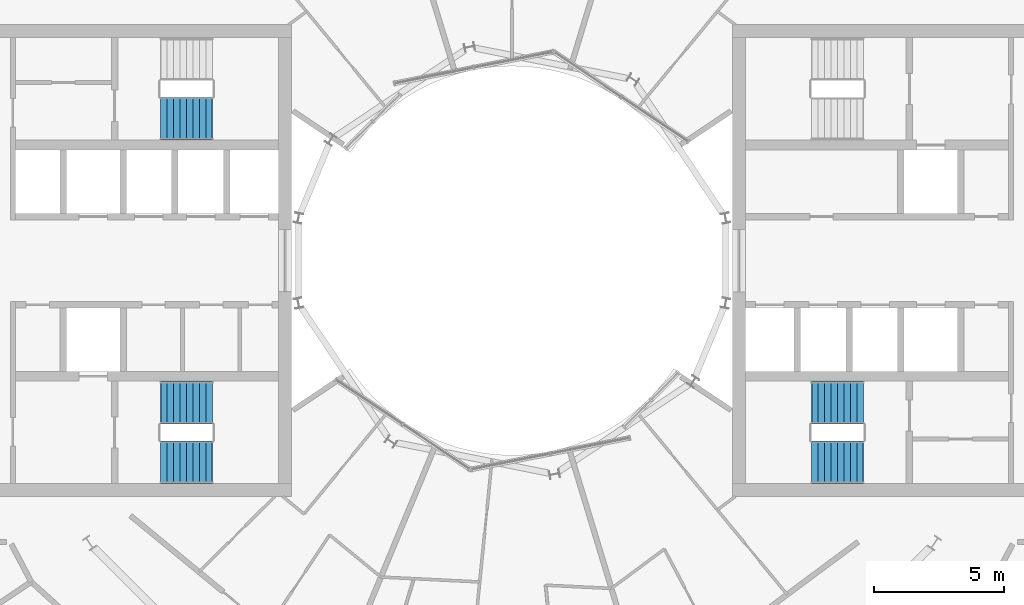
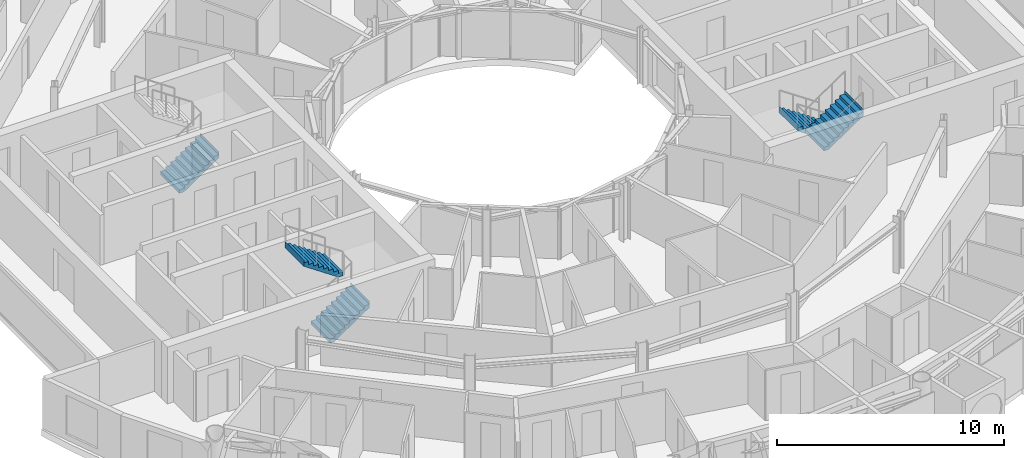
# One storey, part 24 of 27: 5 stair flights, 3 elements without a shape of their own.
"""IFC4 building model written with IfcOpenShell, lengths in metres."""

from ifc_helpers import new_model, si_unit, direction, frame, origin, place, context, subcontext, project, spatial, triangles, material, type_object, element, aggregate, save


model = new_model("IFC4")

# Units and contexts
model_context = context("Model", 3, precision=1e-05, world=origin(), true_north=direction((0.0, 1.0)))
body_context = subcontext(model_context, "Body", "Model", "MODEL_VIEW")
ifc_project = project(units=[si_unit("LENGTHUNIT", "METRE"), si_unit("AREAUNIT", "SQUARE_METRE"), si_unit("VOLUMEUNIT", "CUBIC_METRE"), si_unit("PLANEANGLEUNIT", "RADIAN"), si_unit("MASSUNIT", "GRAM", prefix="KILO")], contexts=[model_context])

# Site, building, storey
site_placement = place(None, origin())
site = spatial("IfcSite", under=ifc_project, at=site_placement, CompositionType="ELEMENT")
building_placement = place(site_placement, origin())
building = spatial("IfcBuilding", under=site, at=building_placement, Name="Maasbend Ring Residences", CompositionType="ELEMENT")
storey_placement = place(building_placement, frame((0.0, 0.0, 151.300048828125)))
storey = spatial("IfcBuildingStorey", under=building, at=storey_placement, Name="L43", CompositionType="ELEMENT", Elevation=151.300048828125)

# Stair, stair flights
ifc_material_1 = material(Name="Concrete C40/50", Category="concrete")
stair_type = type_object("IfcStairType", Name="CORE STAIR 18 RISERS", PredefinedType="HALF_TURN_STAIR", material=ifc_material_1)
stair_1_placement = place(storey_placement, origin())
stair_1 = element("IfcStair", 1, at=stair_1_placement, inside=storey, type_object=stair_type, Name="L43 Exit stair ST-E2", PredefinedType="HALF_TURN_STAIR")
ifc_material_2 = material(Name="Concrete C40/50", Category="concrete")
stair_flight_type = type_object("IfcStairFlightType", Name="CORE STAIR FLIGHT 1650", PredefinedType="STRAIGHT", material=ifc_material_2)
stair_flight_1_placement = place(storey_placement, frame((13.550048828125, -5.47509765625, 0.0), z_axis=(0.0, 0.0, 1.0), x_axis=(-1.0, 0.0, 0.0)))
stair_flight_1 = element("IfcStairFlight", 2, at=stair_flight_1_placement, type_object=stair_flight_type, Name="ST-E2 flight 1", NumberOfRisers=9, NumberOfTreads=8, PredefinedType="STRAIGHT", RiserHeight=0.169444444, TreadLength=0.25, context=body_context, shape_type="Tessellation", body=[
    triangles([(0.24072265625, 0.824951171875, -0.02001953125), (2.0029296875, 0.824951171875, 1.174560546875), (2.0029296875, 0.824951171875, 1.52490234375), (1.989990234375, 0.824951171875, 1.35546875), (1.75, 0.824951171875, 1.35546875), (1.75, 0.824951171875, 1.18603515625), (1.5, 0.824951171875, 1.18603515625), (1.5, 0.824951171875, 1.0166015625), (1.25, 0.824951171875, 1.0166015625), (1.25, 0.824951171875, 0.84716796875), (1.0, 0.824951171875, 0.84716796875), (1.0, 0.824951171875, 0.677734375), (0.75, 0.824951171875, 0.677734375), (0.75, 0.824951171875, 0.50830078125), (0.5, 0.824951171875, 0.50830078125), (0.5, 0.824951171875, 0.3388671875), (0.25, 0.824951171875, 0.3388671875), (0.25, 0.824951171875, 0.16943359375), (0.0, 0.824951171875, 0.16943359375), (0.0, 0.824951171875, 0.0), (-0.0029296875, 0.824951171875, 0.0), (-0.0029296875, 0.824951171875, -0.02001953125), (0.24072265625, 0.27490234375, -0.02001953125), (2.0029296875, 0.27490234375, 1.174560546875), (2.0029296875, 0.27490234375, 1.52490234375), (1.989990234375, 0.27490234375, 1.35546875), (1.75, 0.27490234375, 1.35546875), (1.75, 0.27490234375, 1.18603515625), (1.5, 0.27490234375, 1.18603515625), (1.5, 0.27490234375, 1.0166015625), (1.25, 0.27490234375, 1.0166015625), (1.25, 0.27490234375, 0.84716796875), (1.0, 0.27490234375, 0.84716796875), (1.0, 0.27490234375, 0.677734375), (0.75, 0.27490234375, 0.677734375), (0.75, 0.27490234375, 0.50830078125), (0.5, 0.27490234375, 0.50830078125), (0.5, 0.27490234375, 0.3388671875), (0.25, 0.27490234375, 0.3388671875), (0.25, 0.27490234375, 0.16943359375), (0.0, 0.27490234375, 0.16943359375), (0.0, 0.27490234375, 0.0), (-0.0029296875, 0.27490234375, 0.0), (-0.0029296875, 0.27490234375, -0.02001953125), (0.24072265625, -0.27490234375, -0.02001953125), (2.0029296875, -0.27490234375, 1.174560546875), (2.0029296875, -0.27490234375, 1.52490234375), (1.989990234375, -0.27490234375, 1.35546875), (1.75, -0.27490234375, 1.35546875), (1.75, -0.27490234375, 1.18603515625), (1.5, -0.27490234375, 1.18603515625), (1.5, -0.27490234375, 1.0166015625), (1.25, -0.27490234375, 1.0166015625), (1.25, -0.27490234375, 0.84716796875), (1.0, -0.27490234375, 0.84716796875), (1.0, -0.27490234375, 0.677734375), (0.75, -0.27490234375, 0.677734375), (0.75, -0.27490234375, 0.50830078125), (0.5, -0.27490234375, 0.50830078125), (0.5, -0.27490234375, 0.3388671875), (0.25, -0.27490234375, 0.3388671875), (0.25, -0.27490234375, 0.16943359375), (0.0, -0.27490234375, 0.16943359375), (0.0, -0.27490234375, 0.0), (-0.0029296875, -0.27490234375, 0.0), (-0.0029296875, -0.27490234375, -0.02001953125), (0.24072265625, -0.824951171875, -0.02001953125), (2.0029296875, -0.824951171875, 1.174560546875), (2.0029296875, -0.824951171875, 1.52490234375), (1.989990234375, -0.824951171875, 1.35546875), (1.75, -0.824951171875, 1.35546875), (1.75, -0.824951171875, 1.18603515625), (1.5, -0.824951171875, 1.18603515625), (1.5, -0.824951171875, 1.0166015625), (1.25, -0.824951171875, 1.0166015625), (1.25, -0.824951171875, 0.84716796875), (1.0, -0.824951171875, 0.84716796875), (1.0, -0.824951171875, 0.677734375), (0.75, -0.824951171875, 0.677734375), (0.75, -0.824951171875, 0.50830078125), (0.5, -0.824951171875, 0.50830078125), (0.5, -0.824951171875, 0.3388671875), (0.25, -0.824951171875, 0.3388671875), (0.25, -0.824951171875, 0.16943359375), (0.0, -0.824951171875, 0.16943359375), (0.0, -0.824951171875, 0.0), (-0.0029296875, -0.824951171875, 0.0), (-0.0029296875, -0.824951171875, -0.02001953125)], [[1, 2, 24], [1, 24, 23], [23, 24, 46], [23, 46, 45], [45, 46, 68], [45, 68, 67], [2, 3, 25], [2, 25, 24], [24, 25, 47], [24, 47, 46], [46, 47, 69], [46, 69, 68], [3, 4, 26], [3, 26, 25], [25, 26, 48], [25, 48, 47], [47, 48, 70], [47, 70, 69], [4, 5, 27], [4, 27, 26], [26, 27, 49], [26, 49, 48], [48, 49, 71], [48, 71, 70], [5, 6, 28], [5, 28, 27], [27, 28, 50], [27, 50, 49], [49, 50, 72], [49, 72, 71], [6, 7, 29], [6, 29, 28], [28, 29, 51], [28, 51, 50], [50, 51, 73], [50, 73, 72], [7, 8, 30], [7, 30, 29], [29, 30, 52], [29, 52, 51], [51, 52, 74], [51, 74, 73], [8, 9, 31], [8, 31, 30], [30, 31, 53], [30, 53, 52], [52, 53, 75], [52, 75, 74], [9, 10, 32], [9, 32, 31], [31, 32, 54], [31, 54, 53], [53, 54, 76], [53, 76, 75], [10, 11, 33], [10, 33, 32], [32, 33, 55], [32, 55, 54], [54, 55, 77], [54, 77, 76], [11, 12, 34], [11, 34, 33], [33, 34, 56], [33, 56, 55], [55, 56, 78], [55, 78, 77], [12, 13, 35], [12, 35, 34], [34, 35, 57], [34, 57, 56], [56, 57, 79], [56, 79, 78], [13, 14, 36], [13, 36, 35], [35, 36, 58], [35, 58, 57], [57, 58, 80], [57, 80, 79], [14, 15, 37], [14, 37, 36], [36, 37, 59], [36, 59, 58], [58, 59, 81], [58, 81, 80], [15, 16, 38], [15, 38, 37], [37, 38, 60], [37, 60, 59], [59, 60, 82], [59, 82, 81], [16, 17, 39], [16, 39, 38], [38, 39, 61], [38, 61, 60], [60, 61, 83], [60, 83, 82], [17, 18, 40], [17, 40, 39], [39, 40, 62], [39, 62, 61], [61, 62, 84], [61, 84, 83], [18, 19, 41], [18, 41, 40], [40, 41, 63], [40, 63, 62], [62, 63, 85], [62, 85, 84], [19, 20, 42], [19, 42, 41], [41, 42, 64], [41, 64, 63], [63, 64, 86], [63, 86, 85], [20, 21, 43], [20, 43, 42], [42, 43, 65], [42, 65, 64], [64, 65, 87], [64, 87, 86], [21, 22, 44], [21, 44, 43], [43, 44, 66], [43, 66, 65], [65, 66, 88], [65, 88, 87], [22, 1, 23], [22, 23, 44], [44, 23, 45], [44, 45, 66], [66, 45, 67], [66, 67, 88], [22, 2, 1], [2, 4, 3], [2, 5, 4], [2, 6, 5], [22, 6, 2], [6, 8, 7], [22, 8, 6], [8, 10, 9], [22, 10, 8], [10, 12, 11], [22, 12, 10], [12, 14, 13], [22, 14, 12], [14, 16, 15], [22, 16, 14], [16, 18, 17], [22, 18, 16], [18, 20, 19], [22, 20, 18], [20, 22, 21], [88, 67, 68], [68, 69, 70], [68, 70, 71], [68, 71, 72], [88, 68, 72], [72, 73, 74], [88, 72, 74], [74, 75, 76], [88, 74, 76], [76, 77, 78], [88, 76, 78], [78, 79, 80], [88, 78, 80], [80, 81, 82], [88, 80, 82], [82, 83, 84], [88, 82, 84], [84, 85, 86], [88, 84, 86], [86, 87, 88]], closed=True),
])
stair_flight_2_placement = place(storey_placement, frame((11.550048828125, -7.77490234375, 1.52490234375), z_axis=(0.0, 0.0, 1.0), x_axis=(1.0, 0.0, 0.0)))
stair_flight_2 = element("IfcStairFlight", 3, at=stair_flight_2_placement, type_object=stair_flight_type, Name="ST-E2 flight 2", NumberOfRisers=9, NumberOfTreads=8, PredefinedType="STRAIGHT", RiserHeight=0.169444444, TreadLength=0.25, context=body_context, shape_type="Tessellation", body=[
    triangles([(0.24072265625, 0.824951171875, -0.02001953125), (2.0029296875, 0.824951171875, 1.174560546875), (2.0029296875, 0.824951171875, 1.52490234375), (1.989990234375, 0.824951171875, 1.35546875), (1.75, 0.824951171875, 1.35546875), (1.75, 0.824951171875, 1.18603515625), (1.5, 0.824951171875, 1.18603515625), (1.5, 0.824951171875, 1.0166015625), (1.25, 0.824951171875, 1.0166015625), (1.25, 0.824951171875, 0.84716796875), (1.0, 0.824951171875, 0.84716796875), (1.0, 0.824951171875, 0.677734375), (0.75, 0.824951171875, 0.677734375), (0.75, 0.824951171875, 0.50830078125), (0.5, 0.824951171875, 0.50830078125), (0.5, 0.824951171875, 0.3388671875), (0.25, 0.824951171875, 0.3388671875), (0.25, 0.824951171875, 0.16943359375), (0.0, 0.824951171875, 0.16943359375), (0.0, 0.824951171875, 0.0), (-0.0029296875, 0.824951171875, 0.0), (-0.0029296875, 0.824951171875, -0.02001953125), (0.24072265625, 0.27490234375, -0.02001953125), (2.0029296875, 0.27490234375, 1.174560546875), (2.0029296875, 0.27490234375, 1.52490234375), (1.989990234375, 0.27490234375, 1.35546875), (1.75, 0.27490234375, 1.35546875), (1.75, 0.27490234375, 1.18603515625), (1.5, 0.27490234375, 1.18603515625), (1.5, 0.27490234375, 1.0166015625), (1.25, 0.27490234375, 1.0166015625), (1.25, 0.27490234375, 0.84716796875), (1.0, 0.27490234375, 0.84716796875), (1.0, 0.27490234375, 0.677734375), (0.75, 0.27490234375, 0.677734375), (0.75, 0.27490234375, 0.50830078125), (0.5, 0.27490234375, 0.50830078125), (0.5, 0.27490234375, 0.3388671875), (0.25, 0.27490234375, 0.3388671875), (0.25, 0.27490234375, 0.16943359375), (0.0, 0.27490234375, 0.16943359375), (0.0, 0.27490234375, 0.0), (-0.0029296875, 0.27490234375, 0.0), (-0.0029296875, 0.27490234375, -0.02001953125), (0.24072265625, -0.27490234375, -0.02001953125), (2.0029296875, -0.27490234375, 1.174560546875), (2.0029296875, -0.27490234375, 1.52490234375), (1.989990234375, -0.27490234375, 1.35546875), (1.75, -0.27490234375, 1.35546875), (1.75, -0.27490234375, 1.18603515625), (1.5, -0.27490234375, 1.18603515625), (1.5, -0.27490234375, 1.0166015625), (1.25, -0.27490234375, 1.0166015625), (1.25, -0.27490234375, 0.84716796875), (1.0, -0.27490234375, 0.84716796875), (1.0, -0.27490234375, 0.677734375), (0.75, -0.27490234375, 0.677734375), (0.75, -0.27490234375, 0.50830078125), (0.5, -0.27490234375, 0.50830078125), (0.5, -0.27490234375, 0.3388671875), (0.25, -0.27490234375, 0.3388671875), (0.25, -0.27490234375, 0.16943359375), (0.0, -0.27490234375, 0.16943359375), (0.0, -0.27490234375, 0.0), (-0.0029296875, -0.27490234375, 0.0), (-0.0029296875, -0.27490234375, -0.02001953125), (0.24072265625, -0.824951171875, -0.02001953125), (2.0029296875, -0.824951171875, 1.174560546875), (2.0029296875, -0.824951171875, 1.52490234375), (1.989990234375, -0.824951171875, 1.35546875), (1.75, -0.824951171875, 1.35546875), (1.75, -0.824951171875, 1.18603515625), (1.5, -0.824951171875, 1.18603515625), (1.5, -0.824951171875, 1.0166015625), (1.25, -0.824951171875, 1.0166015625), (1.25, -0.824951171875, 0.84716796875), (1.0, -0.824951171875, 0.84716796875), (1.0, -0.824951171875, 0.677734375), (0.75, -0.824951171875, 0.677734375), (0.75, -0.824951171875, 0.50830078125), (0.5, -0.824951171875, 0.50830078125), (0.5, -0.824951171875, 0.3388671875), (0.25, -0.824951171875, 0.3388671875), (0.25, -0.824951171875, 0.16943359375), (0.0, -0.824951171875, 0.16943359375), (0.0, -0.824951171875, 0.0), (-0.0029296875, -0.824951171875, 0.0), (-0.0029296875, -0.824951171875, -0.02001953125)], [[1, 2, 24], [1, 24, 23], [23, 24, 46], [23, 46, 45], [45, 46, 68], [45, 68, 67], [2, 3, 25], [2, 25, 24], [24, 25, 47], [24, 47, 46], [46, 47, 69], [46, 69, 68], [3, 4, 26], [3, 26, 25], [25, 26, 48], [25, 48, 47], [47, 48, 70], [47, 70, 69], [4, 5, 27], [4, 27, 26], [26, 27, 49], [26, 49, 48], [48, 49, 71], [48, 71, 70], [5, 6, 28], [5, 28, 27], [27, 28, 50], [27, 50, 49], [49, 50, 72], [49, 72, 71], [6, 7, 29], [6, 29, 28], [28, 29, 51], [28, 51, 50], [50, 51, 73], [50, 73, 72], [7, 8, 30], [7, 30, 29], [29, 30, 52], [29, 52, 51], [51, 52, 74], [51, 74, 73], [8, 9, 31], [8, 31, 30], [30, 31, 53], [30, 53, 52], [52, 53, 75], [52, 75, 74], [9, 10, 32], [9, 32, 31], [31, 32, 54], [31, 54, 53], [53, 54, 76], [53, 76, 75], [10, 11, 33], [10, 33, 32], [32, 33, 55], [32, 55, 54], [54, 55, 77], [54, 77, 76], [11, 12, 34], [11, 34, 33], [33, 34, 56], [33, 56, 55], [55, 56, 78], [55, 78, 77], [12, 13, 35], [12, 35, 34], [34, 35, 57], [34, 57, 56], [56, 57, 79], [56, 79, 78], [13, 14, 36], [13, 36, 35], [35, 36, 58], [35, 58, 57], [57, 58, 80], [57, 80, 79], [14, 15, 37], [14, 37, 36], [36, 37, 59], [36, 59, 58], [58, 59, 81], [58, 81, 80], [15, 16, 38], [15, 38, 37], [37, 38, 60], [37, 60, 59], [59, 60, 82], [59, 82, 81], [16, 17, 39], [16, 39, 38], [38, 39, 61], [38, 61, 60], [60, 61, 83], [60, 83, 82], [17, 18, 40], [17, 40, 39], [39, 40, 62], [39, 62, 61], [61, 62, 84], [61, 84, 83], [18, 19, 41], [18, 41, 40], [40, 41, 63], [40, 63, 62], [62, 63, 85], [62, 85, 84], [19, 20, 42], [19, 42, 41], [41, 42, 64], [41, 64, 63], [63, 64, 86], [63, 86, 85], [20, 21, 43], [20, 43, 42], [42, 43, 65], [42, 65, 64], [64, 65, 87], [64, 87, 86], [21, 22, 44], [21, 44, 43], [43, 44, 66], [43, 66, 65], [65, 66, 88], [65, 88, 87], [22, 1, 23], [22, 23, 44], [44, 23, 45], [44, 45, 66], [66, 45, 67], [66, 67, 88], [22, 2, 1], [2, 4, 3], [2, 5, 4], [2, 6, 5], [22, 6, 2], [6, 8, 7], [22, 8, 6], [8, 10, 9], [22, 10, 8], [10, 12, 11], [22, 12, 10], [12, 14, 13], [22, 14, 12], [14, 16, 15], [22, 16, 14], [16, 18, 17], [22, 18, 16], [18, 20, 19], [22, 20, 18], [20, 22, 21], [88, 67, 68], [68, 69, 70], [68, 70, 71], [68, 71, 72], [88, 68, 72], [72, 73, 74], [88, 72, 74], [74, 75, 76], [88, 74, 76], [76, 77, 78], [88, 76, 78], [78, 79, 80], [88, 78, 80], [80, 81, 82], [88, 80, 82], [82, 83, 84], [88, 82, 84], [84, 85, 86], [88, 84, 86], [86, 87, 88]], closed=True),
])
aggregate(stair_1, [stair_flight_1, stair_flight_2])

stair_2_placement = place(storey_placement, origin())
stair_2 = element("IfcStair", 4, at=stair_2_placement, inside=storey, type_object=stair_type, Name="L43 Exit stair ST-W1", PredefinedType="HALF_TURN_STAIR")
stair_flight_3_placement = place(storey_placement, frame((-13.550048828125, -7.77490234375, 0.0), z_axis=(0.0, 0.0, 1.0), x_axis=(1.0, 0.0, 0.0)))
stair_flight_3 = element("IfcStairFlight", 5, at=stair_flight_3_placement, type_object=stair_flight_type, Name="ST-W1 flight 1", NumberOfRisers=9, NumberOfTreads=8, PredefinedType="STRAIGHT", RiserHeight=0.169444444, TreadLength=0.25, context=body_context, shape_type="Tessellation", body=[
    triangles([(0.24072265625, 0.824951171875, -0.02001953125), (2.0029296875, 0.824951171875, 1.174560546875), (2.0029296875, 0.824951171875, 1.52490234375), (1.989990234375, 0.824951171875, 1.35546875), (1.75, 0.824951171875, 1.35546875), (1.75, 0.824951171875, 1.18603515625), (1.5, 0.824951171875, 1.18603515625), (1.5, 0.824951171875, 1.0166015625), (1.25, 0.824951171875, 1.0166015625), (1.25, 0.824951171875, 0.84716796875), (1.0, 0.824951171875, 0.84716796875), (1.0, 0.824951171875, 0.677734375), (0.75, 0.824951171875, 0.677734375), (0.75, 0.824951171875, 0.50830078125), (0.5, 0.824951171875, 0.50830078125), (0.5, 0.824951171875, 0.3388671875), (0.25, 0.824951171875, 0.3388671875), (0.25, 0.824951171875, 0.16943359375), (0.0, 0.824951171875, 0.16943359375), (0.0, 0.824951171875, 0.0), (-0.0029296875, 0.824951171875, 0.0), (-0.0029296875, 0.824951171875, -0.02001953125), (0.24072265625, 0.27490234375, -0.02001953125), (2.0029296875, 0.27490234375, 1.174560546875), (2.0029296875, 0.27490234375, 1.52490234375), (1.989990234375, 0.27490234375, 1.35546875), (1.75, 0.27490234375, 1.35546875), (1.75, 0.27490234375, 1.18603515625), (1.5, 0.27490234375, 1.18603515625), (1.5, 0.27490234375, 1.0166015625), (1.25, 0.27490234375, 1.0166015625), (1.25, 0.27490234375, 0.84716796875), (1.0, 0.27490234375, 0.84716796875), (1.0, 0.27490234375, 0.677734375), (0.75, 0.27490234375, 0.677734375), (0.75, 0.27490234375, 0.50830078125), (0.5, 0.27490234375, 0.50830078125), (0.5, 0.27490234375, 0.3388671875), (0.25, 0.27490234375, 0.3388671875), (0.25, 0.27490234375, 0.16943359375), (0.0, 0.27490234375, 0.16943359375), (0.0, 0.27490234375, 0.0), (-0.0029296875, 0.27490234375, 0.0), (-0.0029296875, 0.27490234375, -0.02001953125), (0.24072265625, -0.27490234375, -0.02001953125), (2.0029296875, -0.27490234375, 1.174560546875), (2.0029296875, -0.27490234375, 1.52490234375), (1.989990234375, -0.27490234375, 1.35546875), (1.75, -0.27490234375, 1.35546875), (1.75, -0.27490234375, 1.18603515625), (1.5, -0.27490234375, 1.18603515625), (1.5, -0.27490234375, 1.0166015625), (1.25, -0.27490234375, 1.0166015625), (1.25, -0.27490234375, 0.84716796875), (1.0, -0.27490234375, 0.84716796875), (1.0, -0.27490234375, 0.677734375), (0.75, -0.27490234375, 0.677734375), (0.75, -0.27490234375, 0.50830078125), (0.5, -0.27490234375, 0.50830078125), (0.5, -0.27490234375, 0.3388671875), (0.25, -0.27490234375, 0.3388671875), (0.25, -0.27490234375, 0.16943359375), (0.0, -0.27490234375, 0.16943359375), (0.0, -0.27490234375, 0.0), (-0.0029296875, -0.27490234375, 0.0), (-0.0029296875, -0.27490234375, -0.02001953125), (0.24072265625, -0.824951171875, -0.02001953125), (2.0029296875, -0.824951171875, 1.174560546875), (2.0029296875, -0.824951171875, 1.52490234375), (1.989990234375, -0.824951171875, 1.35546875), (1.75, -0.824951171875, 1.35546875), (1.75, -0.824951171875, 1.18603515625), (1.5, -0.824951171875, 1.18603515625), (1.5, -0.824951171875, 1.0166015625), (1.25, -0.824951171875, 1.0166015625), (1.25, -0.824951171875, 0.84716796875), (1.0, -0.824951171875, 0.84716796875), (1.0, -0.824951171875, 0.677734375), (0.75, -0.824951171875, 0.677734375), (0.75, -0.824951171875, 0.50830078125), (0.5, -0.824951171875, 0.50830078125), (0.5, -0.824951171875, 0.3388671875), (0.25, -0.824951171875, 0.3388671875), (0.25, -0.824951171875, 0.16943359375), (0.0, -0.824951171875, 0.16943359375), (0.0, -0.824951171875, 0.0), (-0.0029296875, -0.824951171875, 0.0), (-0.0029296875, -0.824951171875, -0.02001953125)], [[1, 2, 24], [1, 24, 23], [23, 24, 46], [23, 46, 45], [45, 46, 68], [45, 68, 67], [2, 3, 25], [2, 25, 24], [24, 25, 47], [24, 47, 46], [46, 47, 69], [46, 69, 68], [3, 4, 26], [3, 26, 25], [25, 26, 48], [25, 48, 47], [47, 48, 70], [47, 70, 69], [4, 5, 27], [4, 27, 26], [26, 27, 49], [26, 49, 48], [48, 49, 71], [48, 71, 70], [5, 6, 28], [5, 28, 27], [27, 28, 50], [27, 50, 49], [49, 50, 72], [49, 72, 71], [6, 7, 29], [6, 29, 28], [28, 29, 51], [28, 51, 50], [50, 51, 73], [50, 73, 72], [7, 8, 30], [7, 30, 29], [29, 30, 52], [29, 52, 51], [51, 52, 74], [51, 74, 73], [8, 9, 31], [8, 31, 30], [30, 31, 53], [30, 53, 52], [52, 53, 75], [52, 75, 74], [9, 10, 32], [9, 32, 31], [31, 32, 54], [31, 54, 53], [53, 54, 76], [53, 76, 75], [10, 11, 33], [10, 33, 32], [32, 33, 55], [32, 55, 54], [54, 55, 77], [54, 77, 76], [11, 12, 34], [11, 34, 33], [33, 34, 56], [33, 56, 55], [55, 56, 78], [55, 78, 77], [12, 13, 35], [12, 35, 34], [34, 35, 57], [34, 57, 56], [56, 57, 79], [56, 79, 78], [13, 14, 36], [13, 36, 35], [35, 36, 58], [35, 58, 57], [57, 58, 80], [57, 80, 79], [14, 15, 37], [14, 37, 36], [36, 37, 59], [36, 59, 58], [58, 59, 81], [58, 81, 80], [15, 16, 38], [15, 38, 37], [37, 38, 60], [37, 60, 59], [59, 60, 82], [59, 82, 81], [16, 17, 39], [16, 39, 38], [38, 39, 61], [38, 61, 60], [60, 61, 83], [60, 83, 82], [17, 18, 40], [17, 40, 39], [39, 40, 62], [39, 62, 61], [61, 62, 84], [61, 84, 83], [18, 19, 41], [18, 41, 40], [40, 41, 63], [40, 63, 62], [62, 63, 85], [62, 85, 84], [19, 20, 42], [19, 42, 41], [41, 42, 64], [41, 64, 63], [63, 64, 86], [63, 86, 85], [20, 21, 43], [20, 43, 42], [42, 43, 65], [42, 65, 64], [64, 65, 87], [64, 87, 86], [21, 22, 44], [21, 44, 43], [43, 44, 66], [43, 66, 65], [65, 66, 88], [65, 88, 87], [22, 1, 23], [22, 23, 44], [44, 23, 45], [44, 45, 66], [66, 45, 67], [66, 67, 88], [22, 2, 1], [2, 4, 3], [2, 5, 4], [2, 6, 5], [22, 6, 2], [6, 8, 7], [22, 8, 6], [8, 10, 9], [22, 10, 8], [10, 12, 11], [22, 12, 10], [12, 14, 13], [22, 14, 12], [14, 16, 15], [22, 16, 14], [16, 18, 17], [22, 18, 16], [18, 20, 19], [22, 20, 18], [20, 22, 21], [88, 67, 68], [68, 69, 70], [68, 70, 71], [68, 71, 72], [88, 68, 72], [72, 73, 74], [88, 72, 74], [74, 75, 76], [88, 74, 76], [76, 77, 78], [88, 76, 78], [78, 79, 80], [88, 78, 80], [80, 81, 82], [88, 80, 82], [82, 83, 84], [88, 82, 84], [84, 85, 86], [88, 84, 86], [86, 87, 88]], closed=True),
])
stair_flight_4_placement = place(storey_placement, frame((-11.550048828125, -5.47509765625, 1.52490234375), z_axis=(0.0, 0.0, 1.0), x_axis=(-1.0, 0.0, 0.0)))
stair_flight_4 = element("IfcStairFlight", 6, at=stair_flight_4_placement, type_object=stair_flight_type, Name="ST-W1 flight 2", NumberOfRisers=9, NumberOfTreads=8, PredefinedType="STRAIGHT", RiserHeight=0.169444444, TreadLength=0.25, context=body_context, shape_type="Tessellation", body=[
    triangles([(0.24072265625, 0.824951171875, -0.02001953125), (2.0029296875, 0.824951171875, 1.174560546875), (2.0029296875, 0.824951171875, 1.52490234375), (1.989990234375, 0.824951171875, 1.35546875), (1.75, 0.824951171875, 1.35546875), (1.75, 0.824951171875, 1.18603515625), (1.5, 0.824951171875, 1.18603515625), (1.5, 0.824951171875, 1.0166015625), (1.25, 0.824951171875, 1.0166015625), (1.25, 0.824951171875, 0.84716796875), (1.0, 0.824951171875, 0.84716796875), (1.0, 0.824951171875, 0.677734375), (0.75, 0.824951171875, 0.677734375), (0.75, 0.824951171875, 0.50830078125), (0.5, 0.824951171875, 0.50830078125), (0.5, 0.824951171875, 0.3388671875), (0.25, 0.824951171875, 0.3388671875), (0.25, 0.824951171875, 0.16943359375), (0.0, 0.824951171875, 0.16943359375), (0.0, 0.824951171875, 0.0), (-0.0029296875, 0.824951171875, 0.0), (-0.0029296875, 0.824951171875, -0.02001953125), (0.24072265625, 0.27490234375, -0.02001953125), (2.0029296875, 0.27490234375, 1.174560546875), (2.0029296875, 0.27490234375, 1.52490234375), (1.989990234375, 0.27490234375, 1.35546875), (1.75, 0.27490234375, 1.35546875), (1.75, 0.27490234375, 1.18603515625), (1.5, 0.27490234375, 1.18603515625), (1.5, 0.27490234375, 1.0166015625), (1.25, 0.27490234375, 1.0166015625), (1.25, 0.27490234375, 0.84716796875), (1.0, 0.27490234375, 0.84716796875), (1.0, 0.27490234375, 0.677734375), (0.75, 0.27490234375, 0.677734375), (0.75, 0.27490234375, 0.50830078125), (0.5, 0.27490234375, 0.50830078125), (0.5, 0.27490234375, 0.3388671875), (0.25, 0.27490234375, 0.3388671875), (0.25, 0.27490234375, 0.16943359375), (0.0, 0.27490234375, 0.16943359375), (0.0, 0.27490234375, 0.0), (-0.0029296875, 0.27490234375, 0.0), (-0.0029296875, 0.27490234375, -0.02001953125), (0.24072265625, -0.27490234375, -0.02001953125), (2.0029296875, -0.27490234375, 1.174560546875), (2.0029296875, -0.27490234375, 1.52490234375), (1.989990234375, -0.27490234375, 1.35546875), (1.75, -0.27490234375, 1.35546875), (1.75, -0.27490234375, 1.18603515625), (1.5, -0.27490234375, 1.18603515625), (1.5, -0.27490234375, 1.0166015625), (1.25, -0.27490234375, 1.0166015625), (1.25, -0.27490234375, 0.84716796875), (1.0, -0.27490234375, 0.84716796875), (1.0, -0.27490234375, 0.677734375), (0.75, -0.27490234375, 0.677734375), (0.75, -0.27490234375, 0.50830078125), (0.5, -0.27490234375, 0.50830078125), (0.5, -0.27490234375, 0.3388671875), (0.25, -0.27490234375, 0.3388671875), (0.25, -0.27490234375, 0.16943359375), (0.0, -0.27490234375, 0.16943359375), (0.0, -0.27490234375, 0.0), (-0.0029296875, -0.27490234375, 0.0), (-0.0029296875, -0.27490234375, -0.02001953125), (0.24072265625, -0.824951171875, -0.02001953125), (2.0029296875, -0.824951171875, 1.174560546875), (2.0029296875, -0.824951171875, 1.52490234375), (1.989990234375, -0.824951171875, 1.35546875), (1.75, -0.824951171875, 1.35546875), (1.75, -0.824951171875, 1.18603515625), (1.5, -0.824951171875, 1.18603515625), (1.5, -0.824951171875, 1.0166015625), (1.25, -0.824951171875, 1.0166015625), (1.25, -0.824951171875, 0.84716796875), (1.0, -0.824951171875, 0.84716796875), (1.0, -0.824951171875, 0.677734375), (0.75, -0.824951171875, 0.677734375), (0.75, -0.824951171875, 0.50830078125), (0.5, -0.824951171875, 0.50830078125), (0.5, -0.824951171875, 0.3388671875), (0.25, -0.824951171875, 0.3388671875), (0.25, -0.824951171875, 0.16943359375), (0.0, -0.824951171875, 0.16943359375), (0.0, -0.824951171875, 0.0), (-0.0029296875, -0.824951171875, 0.0), (-0.0029296875, -0.824951171875, -0.02001953125)], [[1, 2, 24], [1, 24, 23], [23, 24, 46], [23, 46, 45], [45, 46, 68], [45, 68, 67], [2, 3, 25], [2, 25, 24], [24, 25, 47], [24, 47, 46], [46, 47, 69], [46, 69, 68], [3, 4, 26], [3, 26, 25], [25, 26, 48], [25, 48, 47], [47, 48, 70], [47, 70, 69], [4, 5, 27], [4, 27, 26], [26, 27, 49], [26, 49, 48], [48, 49, 71], [48, 71, 70], [5, 6, 28], [5, 28, 27], [27, 28, 50], [27, 50, 49], [49, 50, 72], [49, 72, 71], [6, 7, 29], [6, 29, 28], [28, 29, 51], [28, 51, 50], [50, 51, 73], [50, 73, 72], [7, 8, 30], [7, 30, 29], [29, 30, 52], [29, 52, 51], [51, 52, 74], [51, 74, 73], [8, 9, 31], [8, 31, 30], [30, 31, 53], [30, 53, 52], [52, 53, 75], [52, 75, 74], [9, 10, 32], [9, 32, 31], [31, 32, 54], [31, 54, 53], [53, 54, 76], [53, 76, 75], [10, 11, 33], [10, 33, 32], [32, 33, 55], [32, 55, 54], [54, 55, 77], [54, 77, 76], [11, 12, 34], [11, 34, 33], [33, 34, 56], [33, 56, 55], [55, 56, 78], [55, 78, 77], [12, 13, 35], [12, 35, 34], [34, 35, 57], [34, 57, 56], [56, 57, 79], [56, 79, 78], [13, 14, 36], [13, 36, 35], [35, 36, 58], [35, 58, 57], [57, 58, 80], [57, 80, 79], [14, 15, 37], [14, 37, 36], [36, 37, 59], [36, 59, 58], [58, 59, 81], [58, 81, 80], [15, 16, 38], [15, 38, 37], [37, 38, 60], [37, 60, 59], [59, 60, 82], [59, 82, 81], [16, 17, 39], [16, 39, 38], [38, 39, 61], [38, 61, 60], [60, 61, 83], [60, 83, 82], [17, 18, 40], [17, 40, 39], [39, 40, 62], [39, 62, 61], [61, 62, 84], [61, 84, 83], [18, 19, 41], [18, 41, 40], [40, 41, 63], [40, 63, 62], [62, 63, 85], [62, 85, 84], [19, 20, 42], [19, 42, 41], [41, 42, 64], [41, 64, 63], [63, 64, 86], [63, 86, 85], [20, 21, 43], [20, 43, 42], [42, 43, 65], [42, 65, 64], [64, 65, 87], [64, 87, 86], [21, 22, 44], [21, 44, 43], [43, 44, 66], [43, 66, 65], [65, 66, 88], [65, 88, 87], [22, 1, 23], [22, 23, 44], [44, 23, 45], [44, 45, 66], [66, 45, 67], [66, 67, 88], [22, 2, 1], [2, 4, 3], [2, 5, 4], [2, 6, 5], [22, 6, 2], [6, 8, 7], [22, 8, 6], [8, 10, 9], [22, 10, 8], [10, 12, 11], [22, 12, 10], [12, 14, 13], [22, 14, 12], [14, 16, 15], [22, 16, 14], [16, 18, 17], [22, 18, 16], [18, 20, 19], [22, 20, 18], [20, 22, 21], [88, 67, 68], [68, 69, 70], [68, 70, 71], [68, 71, 72], [88, 68, 72], [72, 73, 74], [88, 72, 74], [74, 75, 76], [88, 74, 76], [76, 77, 78], [88, 76, 78], [78, 79, 80], [88, 78, 80], [80, 81, 82], [88, 80, 82], [82, 83, 84], [88, 82, 84], [84, 85, 86], [88, 84, 86], [86, 87, 88]], closed=True),
])
aggregate(stair_2, [stair_flight_3, stair_flight_4])

# Stair, stair flight
stair_3_placement = place(storey_placement, origin())
stair_3 = element("IfcStair", 7, at=stair_3_placement, inside=storey, type_object=stair_type, Name="L43 Exit stair ST-W2", PredefinedType="HALF_TURN_STAIR")
stair_flight_5_placement = place(storey_placement, frame((-13.550048828125, 5.47509765625, 0.0), z_axis=(0.0, 0.0, 1.0), x_axis=(1.0, 0.0, 0.0)))
stair_flight_5 = element("IfcStairFlight", 8, at=stair_flight_5_placement, type_object=stair_flight_type, Name="ST-W2 flight 1", NumberOfRisers=9, NumberOfTreads=8, PredefinedType="STRAIGHT", RiserHeight=0.169444444, TreadLength=0.25, context=body_context, shape_type="Tessellation", body=[
    triangles([(0.24072265625, 0.824951171875, -0.02001953125), (2.0029296875, 0.824951171875, 1.174560546875), (2.0029296875, 0.824951171875, 1.52490234375), (1.989990234375, 0.824951171875, 1.35546875), (1.75, 0.824951171875, 1.35546875), (1.75, 0.824951171875, 1.18603515625), (1.5, 0.824951171875, 1.18603515625), (1.5, 0.824951171875, 1.0166015625), (1.25, 0.824951171875, 1.0166015625), (1.25, 0.824951171875, 0.84716796875), (1.0, 0.824951171875, 0.84716796875), (1.0, 0.824951171875, 0.677734375), (0.75, 0.824951171875, 0.677734375), (0.75, 0.824951171875, 0.50830078125), (0.5, 0.824951171875, 0.50830078125), (0.5, 0.824951171875, 0.3388671875), (0.25, 0.824951171875, 0.3388671875), (0.25, 0.824951171875, 0.16943359375), (0.0, 0.824951171875, 0.16943359375), (0.0, 0.824951171875, 0.0), (-0.0029296875, 0.824951171875, 0.0), (-0.0029296875, 0.824951171875, -0.02001953125), (0.24072265625, 0.27490234375, -0.02001953125), (2.0029296875, 0.27490234375, 1.174560546875), (2.0029296875, 0.27490234375, 1.52490234375), (1.989990234375, 0.27490234375, 1.35546875), (1.75, 0.27490234375, 1.35546875), (1.75, 0.27490234375, 1.18603515625), (1.5, 0.27490234375, 1.18603515625), (1.5, 0.27490234375, 1.0166015625), (1.25, 0.27490234375, 1.0166015625), (1.25, 0.27490234375, 0.84716796875), (1.0, 0.27490234375, 0.84716796875), (1.0, 0.27490234375, 0.677734375), (0.75, 0.27490234375, 0.677734375), (0.75, 0.27490234375, 0.50830078125), (0.5, 0.27490234375, 0.50830078125), (0.5, 0.27490234375, 0.3388671875), (0.25, 0.27490234375, 0.3388671875), (0.25, 0.27490234375, 0.16943359375), (0.0, 0.27490234375, 0.16943359375), (0.0, 0.27490234375, 0.0), (-0.0029296875, 0.27490234375, 0.0), (-0.0029296875, 0.27490234375, -0.02001953125), (0.24072265625, -0.27490234375, -0.02001953125), (2.0029296875, -0.27490234375, 1.174560546875), (2.0029296875, -0.27490234375, 1.52490234375), (1.989990234375, -0.27490234375, 1.35546875), (1.75, -0.27490234375, 1.35546875), (1.75, -0.27490234375, 1.18603515625), (1.5, -0.27490234375, 1.18603515625), (1.5, -0.27490234375, 1.0166015625), (1.25, -0.27490234375, 1.0166015625), (1.25, -0.27490234375, 0.84716796875), (1.0, -0.27490234375, 0.84716796875), (1.0, -0.27490234375, 0.677734375), (0.75, -0.27490234375, 0.677734375), (0.75, -0.27490234375, 0.50830078125), (0.5, -0.27490234375, 0.50830078125), (0.5, -0.27490234375, 0.3388671875), (0.25, -0.27490234375, 0.3388671875), (0.25, -0.27490234375, 0.16943359375), (0.0, -0.27490234375, 0.16943359375), (0.0, -0.27490234375, 0.0), (-0.0029296875, -0.27490234375, 0.0), (-0.0029296875, -0.27490234375, -0.02001953125), (0.24072265625, -0.824951171875, -0.02001953125), (2.0029296875, -0.824951171875, 1.174560546875), (2.0029296875, -0.824951171875, 1.52490234375), (1.989990234375, -0.824951171875, 1.35546875), (1.75, -0.824951171875, 1.35546875), (1.75, -0.824951171875, 1.18603515625), (1.5, -0.824951171875, 1.18603515625), (1.5, -0.824951171875, 1.0166015625), (1.25, -0.824951171875, 1.0166015625), (1.25, -0.824951171875, 0.84716796875), (1.0, -0.824951171875, 0.84716796875), (1.0, -0.824951171875, 0.677734375), (0.75, -0.824951171875, 0.677734375), (0.75, -0.824951171875, 0.50830078125), (0.5, -0.824951171875, 0.50830078125), (0.5, -0.824951171875, 0.3388671875), (0.25, -0.824951171875, 0.3388671875), (0.25, -0.824951171875, 0.16943359375), (0.0, -0.824951171875, 0.16943359375), (0.0, -0.824951171875, 0.0), (-0.0029296875, -0.824951171875, 0.0), (-0.0029296875, -0.824951171875, -0.02001953125)], [[1, 2, 24], [1, 24, 23], [23, 24, 46], [23, 46, 45], [45, 46, 68], [45, 68, 67], [2, 3, 25], [2, 25, 24], [24, 25, 47], [24, 47, 46], [46, 47, 69], [46, 69, 68], [3, 4, 26], [3, 26, 25], [25, 26, 48], [25, 48, 47], [47, 48, 70], [47, 70, 69], [4, 5, 27], [4, 27, 26], [26, 27, 49], [26, 49, 48], [48, 49, 71], [48, 71, 70], [5, 6, 28], [5, 28, 27], [27, 28, 50], [27, 50, 49], [49, 50, 72], [49, 72, 71], [6, 7, 29], [6, 29, 28], [28, 29, 51], [28, 51, 50], [50, 51, 73], [50, 73, 72], [7, 8, 30], [7, 30, 29], [29, 30, 52], [29, 52, 51], [51, 52, 74], [51, 74, 73], [8, 9, 31], [8, 31, 30], [30, 31, 53], [30, 53, 52], [52, 53, 75], [52, 75, 74], [9, 10, 32], [9, 32, 31], [31, 32, 54], [31, 54, 53], [53, 54, 76], [53, 76, 75], [10, 11, 33], [10, 33, 32], [32, 33, 55], [32, 55, 54], [54, 55, 77], [54, 77, 76], [11, 12, 34], [11, 34, 33], [33, 34, 56], [33, 56, 55], [55, 56, 78], [55, 78, 77], [12, 13, 35], [12, 35, 34], [34, 35, 57], [34, 57, 56], [56, 57, 79], [56, 79, 78], [13, 14, 36], [13, 36, 35], [35, 36, 58], [35, 58, 57], [57, 58, 80], [57, 80, 79], [14, 15, 37], [14, 37, 36], [36, 37, 59], [36, 59, 58], [58, 59, 81], [58, 81, 80], [15, 16, 38], [15, 38, 37], [37, 38, 60], [37, 60, 59], [59, 60, 82], [59, 82, 81], [16, 17, 39], [16, 39, 38], [38, 39, 61], [38, 61, 60], [60, 61, 83], [60, 83, 82], [17, 18, 40], [17, 40, 39], [39, 40, 62], [39, 62, 61], [61, 62, 84], [61, 84, 83], [18, 19, 41], [18, 41, 40], [40, 41, 63], [40, 63, 62], [62, 63, 85], [62, 85, 84], [19, 20, 42], [19, 42, 41], [41, 42, 64], [41, 64, 63], [63, 64, 86], [63, 86, 85], [20, 21, 43], [20, 43, 42], [42, 43, 65], [42, 65, 64], [64, 65, 87], [64, 87, 86], [21, 22, 44], [21, 44, 43], [43, 44, 66], [43, 66, 65], [65, 66, 88], [65, 88, 87], [22, 1, 23], [22, 23, 44], [44, 23, 45], [44, 45, 66], [66, 45, 67], [66, 67, 88], [22, 2, 1], [2, 4, 3], [2, 5, 4], [2, 6, 5], [22, 6, 2], [6, 8, 7], [22, 8, 6], [8, 10, 9], [22, 10, 8], [10, 12, 11], [22, 12, 10], [12, 14, 13], [22, 14, 12], [14, 16, 15], [22, 16, 14], [16, 18, 17], [22, 18, 16], [18, 20, 19], [22, 20, 18], [20, 22, 21], [88, 67, 68], [68, 69, 70], [68, 70, 71], [68, 71, 72], [88, 68, 72], [72, 73, 74], [88, 72, 74], [74, 75, 76], [88, 74, 76], [76, 77, 78], [88, 76, 78], [78, 79, 80], [88, 78, 80], [80, 81, 82], [88, 80, 82], [82, 83, 84], [88, 82, 84], [84, 85, 86], [88, 84, 86], [86, 87, 88]], closed=True),
])
aggregate(stair_3, [stair_flight_5])

save(model, "model.ifc")
